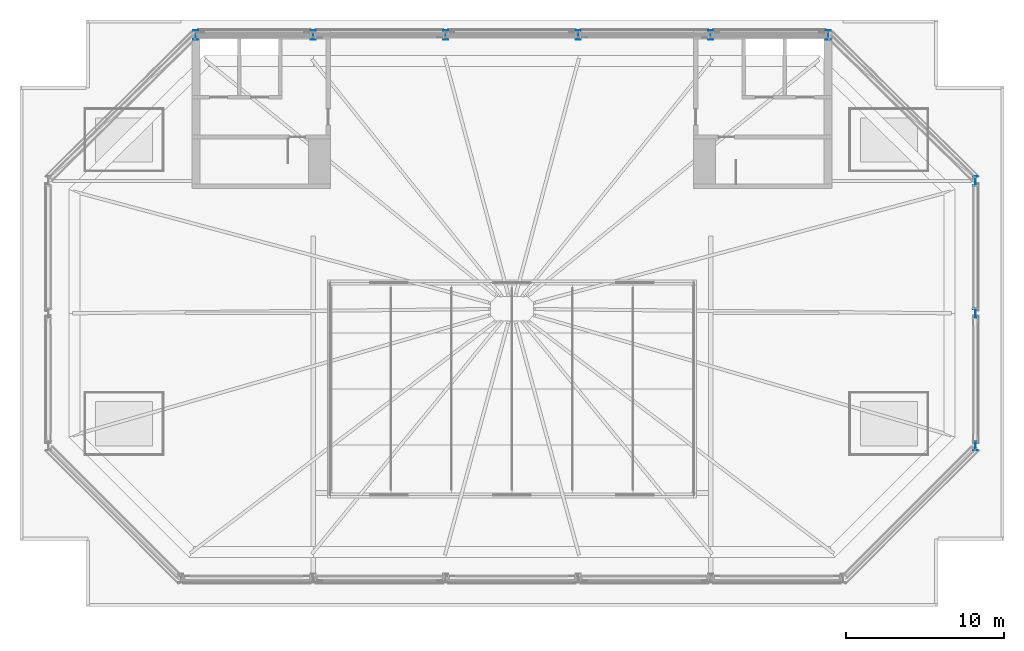
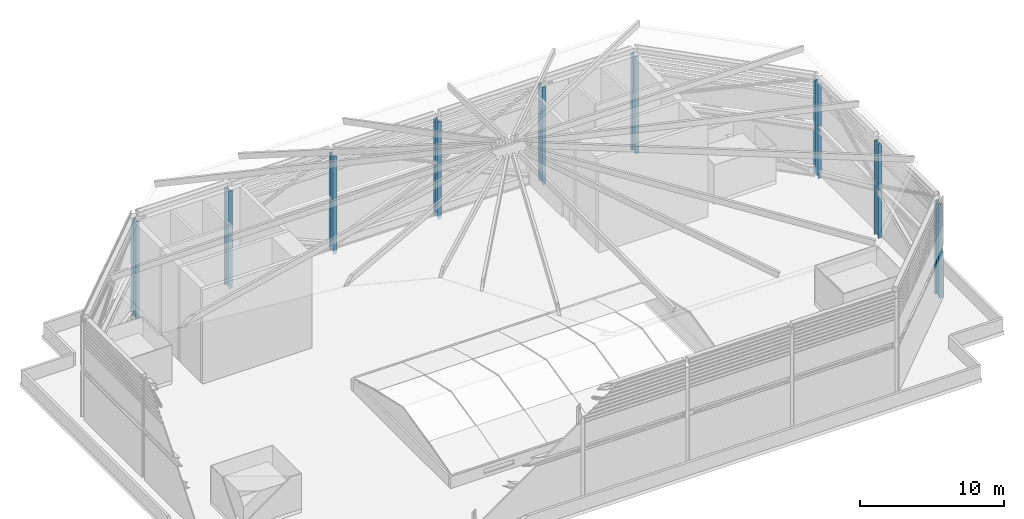
# One storey, part 2 of 22: 9 columns.
"""IFC4 building model written with IfcOpenShell, lengths in metres."""

from ifc_helpers import new_model, si_unit, direction, frame, origin, origin_2d, place, context, subcontext, project, spatial, i_section, extrude, material, material_profile, profile_set, type_object, element, save


model = new_model("IFC4")

# Units and contexts
model_context = context("Model", 3, precision=1e-05, world=origin(), true_north=direction((0.0, 1.0)))
body_context = subcontext(model_context, "Body", "Model", "MODEL_VIEW")
ifc_project = project(units=[si_unit("LENGTHUNIT", "METRE"), si_unit("AREAUNIT", "SQUARE_METRE"), si_unit("VOLUMEUNIT", "CUBIC_METRE"), si_unit("PLANEANGLEUNIT", "RADIAN"), si_unit("MASSUNIT", "GRAM", prefix="KILO")], contexts=[model_context])

# Site, building, storey
site_placement = place(None, origin())
site = spatial("IfcSite", under=ifc_project, at=site_placement, CompositionType="ELEMENT")
building_placement = place(site_placement, origin())
building = spatial("IfcBuilding", under=site, at=building_placement, Name="Saffron Gate Tower", CompositionType="ELEMENT")
storey_placement = place(building_placement, frame((0.0, 0.0, 314.85009765625)))
storey = spatial("IfcBuildingStorey", under=building, at=storey_placement, Name="Roof crown", CompositionType="ELEMENT", Elevation=314.85009765625)

# Columns
ifc_material = material(Name="Structural steel S355", Category="steel")
ifc_material_profile = material_profile(ifc_material, i_section(OverallWidth=0.300048828125, OverallDepth=0.60009765625, WebThickness=0.015380859375, FlangeThickness=0.030029296875, FilletRadius=0.027099609375, at=origin_2d()))
ifc_profile_set = profile_set([ifc_material_profile], Name="Structural steel S355")
column_type = type_object("IfcColumnType", Name="CF3 HEB 600", PredefinedType="COLUMN", material=ifc_profile_set)
for number, where, z_axis, x_axis, name in (
    (1, (117.0, 48.60009765625, 0.0), (0.0, 0.0, 1.0), (1.0, 0.0, 0.0), "CF3 CROWN FRAME POST"),
    (2, (117.0, 57.0, 0.0), (0.0, 0.0, 1.0), (1.0, 0.0, 0.0), "CF3 CROWN FRAME POST"),
    (3, (117.0, 65.39990234375, 0.0), (0.0, 0.0, 1.0), (1.0, 0.0, 0.0), "CF3 CROWN FRAME POST"),
):
    element("IfcColumn", number, at=place(storey_placement, frame(where, z_axis=z_axis, x_axis=x_axis)), inside=storey, type_object=column_type, Name=name, PredefinedType="COLUMN", context=body_context, shape_type="SweptSolid", body=[
        extrude(i_section(OverallWidth=0.300048828125, OverallDepth=0.60009765625, WebThickness=0.015380859375, FlangeThickness=0.030029296875, FilletRadius=0.027099609375, at=origin_2d()), origin(), (0.0, 0.0, 1.0), 8.0),
    ])
for number, where, z_axis, x_axis, name in (
    (4, (107.64990234375, 74.64990234375, -0.300048828125), (0.0, 0.0, 1.0), (1.0, 0.0, 0.0), "CF3 CROWN FRAME POST"),
    (5, (100.199951171875, 74.64990234375, -0.300048828125), (0.0, 0.0, 1.0), (1.0, 0.0, 0.0), "CF3 CROWN FRAME POST"),
    (6, (91.800048828125, 74.64990234375, -0.300048828125), (0.0, 0.0, 1.0), (1.0, 0.0, 0.0), "CF3 CROWN FRAME POST"),
    (7, (83.39990234375, 74.64990234375, -0.300048828125), (0.0, 0.0, 1.0), (1.0, 0.0, 0.0), "CF3 CROWN FRAME POST"),
    (8, (75.0, 74.64990234375, -0.300048828125), (0.0, 0.0, 1.0), (1.0, 0.0, 0.0), "CF3 CROWN FRAME POST"),
    (9, (67.550048828125, 74.64990234375, -0.300048828125), (0.0, 0.0, 1.0), (1.0, 0.0, 0.0), "CF3 CROWN FRAME POST"),
):
    element("IfcColumn", number, at=place(storey_placement, frame(where, z_axis=z_axis, x_axis=x_axis)), inside=storey, type_object=column_type, Name=name, PredefinedType="COLUMN", context=body_context, shape_type="SweptSolid", body=[
        extrude(i_section(OverallWidth=0.300048828125, OverallDepth=0.60009765625, WebThickness=0.015380859375, FlangeThickness=0.030029296875, FilletRadius=0.027099609375, at=origin_2d()), origin(), (0.0, 0.0, 1.0), 8.300048828125),
    ])

save(model, "model.ifc")
